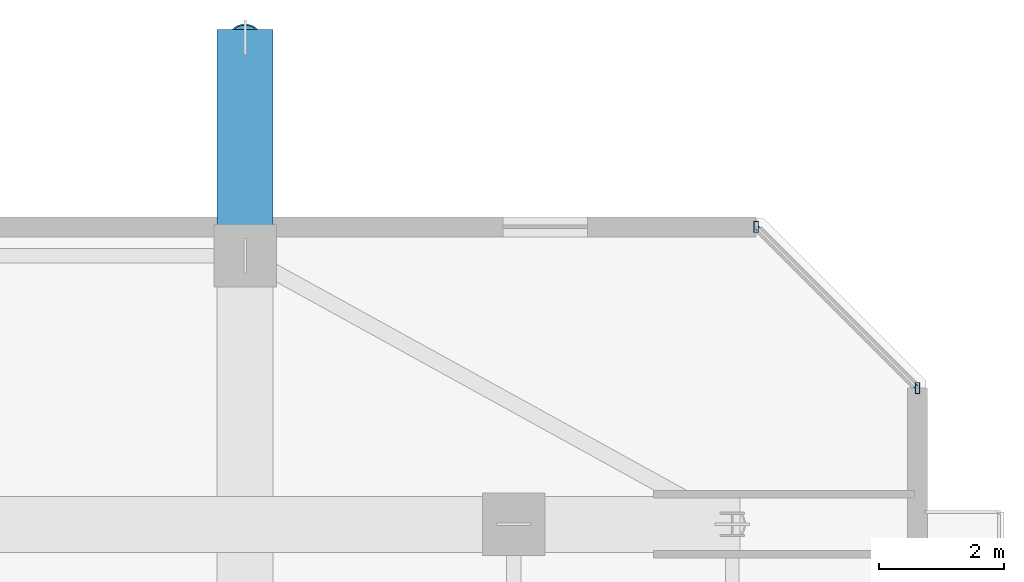
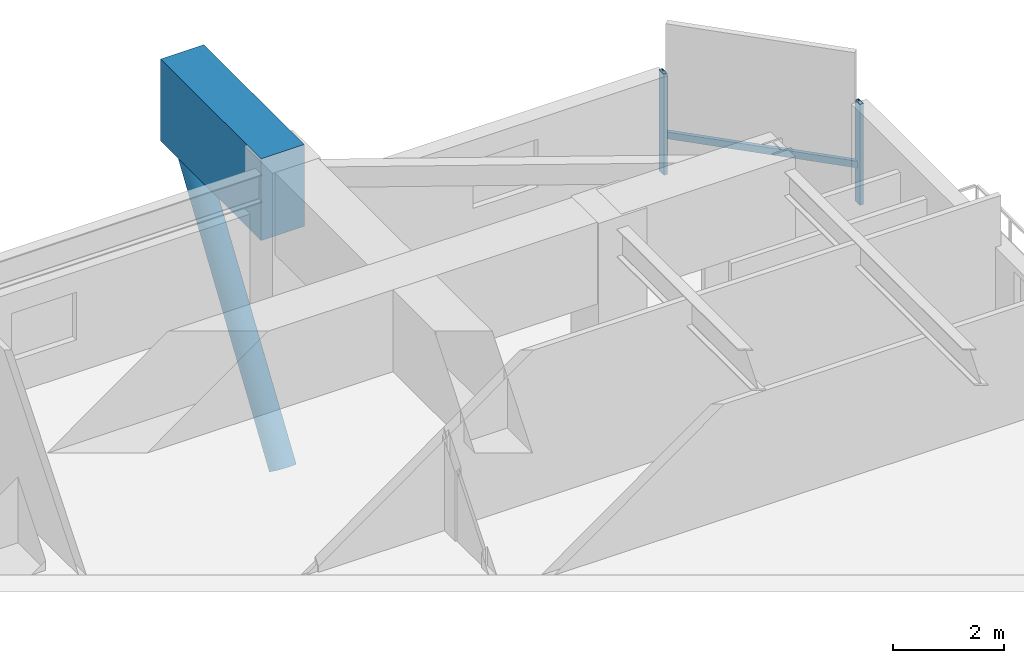
# One storey, part 16 of 34: 4 members, 1 beam, 1 element without a shape of its own.
"""IFC4 building model written with IfcOpenShell, lengths in metres."""

from ifc_helpers import new_model, si_unit, direction, frame, origin, origin_2d, place, context, subcontext, project, spatial, rectangle, hollow_rectangle, hollow_circle, extrude, material, material_profile, profile_set, type_object, element, aggregate, save


model = new_model("IFC4")

# Units and contexts
model_context = context("Model", 3, precision=1e-05, world=origin(), true_north=direction((0.0, 1.0)))
body_context = subcontext(model_context, "Body", "Model", "MODEL_VIEW")
ifc_project = project(units=[si_unit("LENGTHUNIT", "METRE"), si_unit("AREAUNIT", "SQUARE_METRE"), si_unit("VOLUMEUNIT", "CUBIC_METRE"), si_unit("PLANEANGLEUNIT", "RADIAN"), si_unit("MASSUNIT", "GRAM", prefix="KILO")], contexts=[model_context])

# Site, building, storey
site_placement = place(None, origin())
site = spatial("IfcSite", under=ifc_project, at=site_placement, CompositionType="ELEMENT")
building_placement = place(site_placement, origin())
building = spatial("IfcBuilding", under=site, at=building_placement, Name="Thornwick Lancets Civic Towers", CompositionType="ELEMENT")
storey_placement = place(building_placement, frame((0.0, 0.0, 251.10009765625)))
storey = spatial("IfcBuildingStorey", under=building, at=storey_placement, Name="L67", CompositionType="ELEMENT", Elevation=251.10009765625)

# Beam
ifc_material_1 = material(Name="Concrete C60/75", Category="concrete")
ifc_material_profile_1 = material_profile(ifc_material_1, rectangle(XDim=0.89990234375, YDim=1.800048828125, at=origin_2d()), Name="RC 900x1800")
ifc_profile_set_1 = profile_set([ifc_material_profile_1], Name="Concrete C60/75")
beam_type = type_object("IfcBeamType", Name="BM_TR_RC1800", PredefinedType="BEAM", material=ifc_profile_set_1)
beam_placement = place(storey_placement, frame((101.5, 44.300048828125, 2.699951171875), z_axis=(0.0, 1.0, 0.0), x_axis=(-1.0, 0.0, 0.0)))
element("IfcBeam", 1, at=beam_placement, inside=storey, type_object=beam_type, Name="TG-CANT-L68-B04", PredefinedType="BEAM", context=body_context, shape_type="SweptSolid", body=[
    extrude(rectangle(XDim=0.89990234375, YDim=1.800048828125, at=origin_2d()), origin(), (0.0, 0.0, 1.0), 3.619873046875),
])

# Curtain wall, members
ifc_material_2 = material(Name="High-zone chamfered-corner unitised glass curtain wall", Category="glass")
curtain_wall_type = type_object("IfcCurtainWallType", Name="CW_SYS_05", PredefinedType="NOTDEFINED", material=ifc_material_2)
curtain_wall_placement = place(storey_placement, origin())
curtain_wall = element("IfcCurtainWall", 2, at=curtain_wall_placement, inside=storey, type_object=curtain_wall_type, Name="L67 Curtain Wall CW-L67-B-E3", PredefinedType="NOTDEFINED")
ifc_material_3 = material(Name="Thermally broken bronze aluminium S355", Category="steel")
ifc_material_profile_2 = material_profile(ifc_material_3, hollow_rectangle(XDim=0.074951171875, YDim=0.179931640625, WallThickness=0.006103515625, at=origin_2d()), Name="RHS 180x75x6")
ifc_profile_set_2 = profile_set([ifc_material_profile_2], Name="Thermally broken bronze aluminium S355")
member_type_1 = type_object("IfcMemberType", Name="CW_MUL_180", PredefinedType="MULLION", material=ifc_profile_set_2)
member_1_placement = place(storey_placement, frame((112.2646484375, 42.181396484375, 0.0), z_axis=(0.0, 0.0, 1.0), x_axis=(1.0, 0.0, 0.0)))
member_1 = element("IfcMember", 3, at=member_1_placement, type_object=member_type_1, Name="CW-L67-B-E3 Mullion 0", PredefinedType="MULLION", context=body_context, shape_type="SweptSolid", body=[
    extrude(hollow_rectangle(XDim=0.074951171875, YDim=0.179931640625, WallThickness=0.006103515625, at=origin_2d()), origin(), (0.0, 0.0, 1.0), 2.219970703125),
])
member_2_placement = place(storey_placement, frame((109.681396484375, 44.7646484375, 0.0), z_axis=(0.0, 0.0, 1.0), x_axis=(1.0, 0.0, 0.0)))
member_2 = element("IfcMember", 4, at=member_2_placement, type_object=member_type_1, Name="CW-L67-B-E3 Mullion 1", PredefinedType="MULLION", context=body_context, shape_type="SweptSolid", body=[
    extrude(hollow_rectangle(XDim=0.074951171875, YDim=0.179931640625, WallThickness=0.006103515625, at=origin_2d()), origin(), (0.0, 0.0, 1.0), 2.219970703125),
])
ifc_material_profile_3 = material_profile(ifc_material_3, hollow_rectangle(XDim=0.074951171875, YDim=0.14990234375, WallThickness=0.0048828125, at=origin_2d()), Name="RHS 150x75x5")
ifc_profile_set_3 = profile_set([ifc_material_profile_3], Name="Thermally broken bronze aluminium S355")
member_type_2 = type_object("IfcMemberType", Name="CW_TRN_150", PredefinedType="USERDEFINED", material=ifc_profile_set_3)
member_3_placement = place(storey_placement, frame((112.25048828125, 42.195556640625, 0.849853515625), z_axis=(-0.707106781187, 0.707106781187, 0.0), x_axis=(-0.707106781187, -0.707106781187, 0.0)))
member_3 = element("IfcMember", 5, at=member_3_placement, type_object=member_type_2, Name="CW-L67-B-E3 Transom 0", ObjectType="TRANSOM", PredefinedType="USERDEFINED", context=body_context, shape_type="SweptSolid", body=[
    extrude(hollow_rectangle(XDim=0.074951171875, YDim=0.14990234375, WallThickness=0.0048828125, at=origin_2d()), origin(), (0.0, 0.0, 1.0), 3.61328125),
])
aggregate(curtain_wall, [member_1, member_2, member_3])

# Member
ifc_material_4 = material(Name="Steel S460M", Category="steel")
ifc_material_profile_4 = material_profile(ifc_material_4, hollow_circle(Radius=0.25390625, WallThickness=0.02490234375, at=origin_2d()), Name="CHS 508x25")
ifc_profile_set_4 = profile_set([ifc_material_profile_4], Name="Steel S460M")
member_type_3 = type_object("IfcMemberType", Name="MEM_STRUT_CHS508", PredefinedType="STRUT", material=ifc_profile_set_4)
member_4_placement = place(storey_placement, frame((101.5, 44.300048828125, -3.35009765625), z_axis=(0.0, 0.556167580628, 0.831070166868), x_axis=(-1.0, 0.0, 0.0)))
element("IfcMember", 6, at=member_4_placement, inside=storey, type_object=member_type_3, Name="L68 Jenga Transfer Raking Strut B04", PredefinedType="STRUT", context=body_context, shape_type="SweptSolid", body=[
    extrude(hollow_circle(Radius=0.25390625, WallThickness=0.02490234375, at=origin_2d()), origin(), (0.0, 0.0, 1.0), 6.29296875),
])

save(model, "model.ifc")
